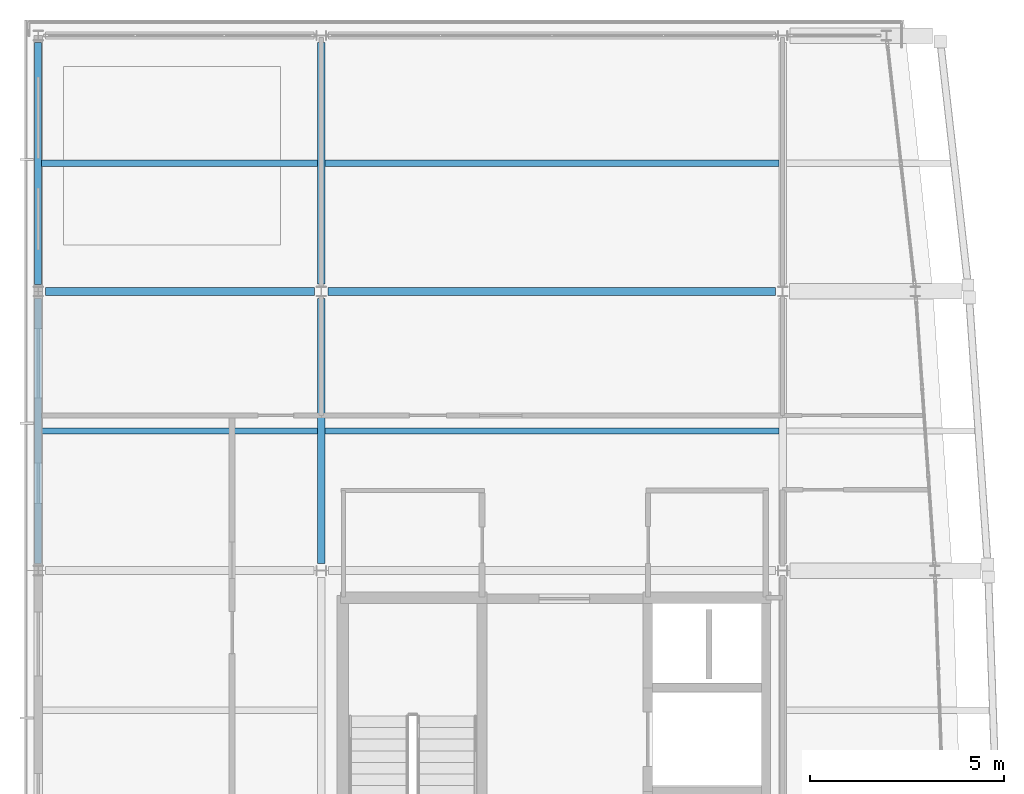
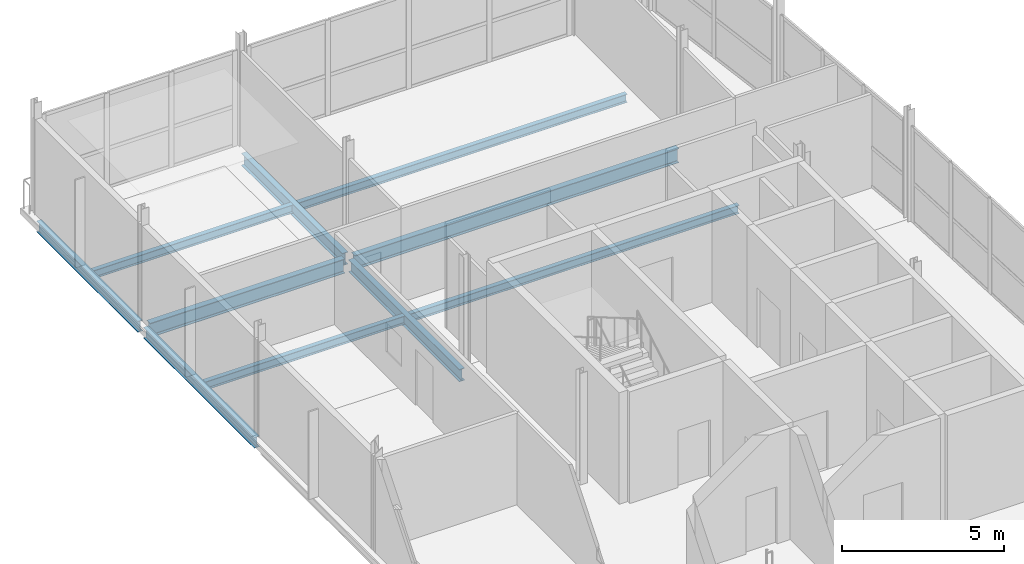
# One storey, part 8 of 17: 10 beams.
"""IFC4 building model written with IfcOpenShell, lengths in metres."""

from ifc_helpers import new_model, si_unit, direction, frame, origin, origin_2d, place, context, subcontext, project, spatial, i_section, extrude, material, material_profile, profile_set, type_object, element, save


model = new_model("IFC4")

# Units and contexts
model_context = context("Model", 3, precision=1e-05, world=origin(), true_north=direction((0.0, 1.0)))
body_context = subcontext(model_context, "Body", "Model", "MODEL_VIEW")
ifc_project = project(units=[si_unit("LENGTHUNIT", "METRE"), si_unit("AREAUNIT", "SQUARE_METRE"), si_unit("VOLUMEUNIT", "CUBIC_METRE"), si_unit("PLANEANGLEUNIT", "RADIAN"), si_unit("MASSUNIT", "GRAM", prefix="KILO")], contexts=[model_context])

# Site, building, storey
site_placement = place(None, origin())
site = spatial("IfcSite", under=ifc_project, at=site_placement, CompositionType="ELEMENT")
building_placement = place(site_placement, origin())
building = spatial("IfcBuilding", under=site, at=building_placement, Name="Quillay Park Conservatory", CompositionType="ELEMENT")
storey_placement = place(building_placement, frame((0.0, 0.0, 60.300048828125)))
storey = spatial("IfcBuildingStorey", under=building, at=storey_placement, Name="L14", CompositionType="ELEMENT", Elevation=60.300048828125)

# Beams
ifc_material_1 = material(Name="Steel ASTM A992 Grade 50", Category="steel")
ifc_material_profile_1 = material_profile(ifc_material_1, i_section(OverallWidth=0.166015625, OverallDepth=0.31298828125, WebThickness=0.006591796875, FlangeThickness=0.01123046875, FilletRadius=0.010009765625, at=origin_2d()), Name="W310x45")
ifc_profile_set_1 = profile_set([ifc_material_profile_1], Name="Steel ASTM A992 Grade 50")
beam_type_1 = type_object("IfcBeamType", Name="COMPOSITE FLOOR JOIST W310 X45", PredefinedType="JOIST", material=ifc_profile_set_1)
beam_1_placement = place(storey_placement, frame((0.639892578125, 103.199951171875, -0.37158203125), z_axis=(1.0, 0.0, 0.0), x_axis=(0.0, 1.0, 0.0)))
element("IfcBeam", 1, at=beam_1_placement, inside=storey, type_object=beam_type_1, Name="L14 beam BM-J-0990", PredefinedType="JOIST", context=body_context, shape_type="SweptSolid", body=[
    extrude(i_section(OverallWidth=0.166015625, OverallDepth=0.31298828125, WebThickness=0.006591796875, FlangeThickness=0.01123046875, FilletRadius=0.010009765625, at=origin_2d()), origin(), (0.0, 0.0, 1.0), 7.114013671875),
])
beam_2_placement = place(storey_placement, frame((7.946044921875, 103.199951171875, -0.37158203125), z_axis=(1.0, 0.0, 0.0), x_axis=(0.0, 1.0, 0.0)))
element("IfcBeam", 2, at=beam_2_placement, inside=storey, type_object=beam_type_1, Name="L14 beam BM-J-0992", PredefinedType="JOIST", context=body_context, shape_type="SweptSolid", body=[
    extrude(i_section(OverallWidth=0.166015625, OverallDepth=0.31298828125, WebThickness=0.006591796875, FlangeThickness=0.01123046875, FilletRadius=0.010009765625, at=origin_2d()), origin(), (0.0, 0.0, 1.0), 11.7080078125),
])
beam_3_placement = place(storey_placement, frame((0.639892578125, 110.10009765625, -0.37158203125), z_axis=(1.0, 0.0, 0.0), x_axis=(0.0, 1.0, 0.0)))
element("IfcBeam", 3, at=beam_3_placement, inside=storey, type_object=beam_type_1, Name="L14 beam BM-J-0997", PredefinedType="JOIST", context=body_context, shape_type="SweptSolid", body=[
    extrude(i_section(OverallWidth=0.166015625, OverallDepth=0.31298828125, WebThickness=0.006591796875, FlangeThickness=0.01123046875, FilletRadius=0.010009765625, at=origin_2d()), origin(), (0.0, 0.0, 1.0), 7.114013671875),
])
beam_4_placement = place(storey_placement, frame((7.946044921875, 110.10009765625, -0.37158203125), z_axis=(1.0, 0.0, 0.0), x_axis=(0.0, 1.0, 0.0)))
element("IfcBeam", 4, at=beam_4_placement, inside=storey, type_object=beam_type_1, Name="L14 beam BM-J-0999", PredefinedType="JOIST", context=body_context, shape_type="SweptSolid", body=[
    extrude(i_section(OverallWidth=0.166015625, OverallDepth=0.31298828125, WebThickness=0.006591796875, FlangeThickness=0.01123046875, FilletRadius=0.010009765625, at=origin_2d()), origin(), (0.0, 0.0, 1.0), 11.7080078125),
])
ifc_material_2 = material(Name="Steel ASTM A992 Grade 50", Category="steel")
ifc_material_profile_2 = material_profile(ifc_material_2, i_section(OverallWidth=0.179931640625, OverallDepth=0.4130859375, WebThickness=0.009765625, FlangeThickness=0.01611328125, FilletRadius=0.011962890625, at=origin_2d()), Name="W410x74")
ifc_profile_set_2 = profile_set([ifc_material_profile_2], Name="Steel ASTM A992 Grade 50")
beam_type_2 = type_object("IfcBeamType", Name="PERIMETER SPANDREL BEAM W410 X74", PredefinedType="SPANDREL", material=ifc_profile_set_2)
beam_5_placement = place(storey_placement, frame((0.550048828125, 99.778076171875, -0.421630859375), z_axis=(0.0, 1.0, 0.0), x_axis=(-1.0, 0.0, 0.0)))
element("IfcBeam", 5, at=beam_5_placement, inside=storey, type_object=beam_type_2, Name="L14 beam BM-SPW-0986", PredefinedType="SPANDREL", context=body_context, shape_type="SweptSolid", body=[
    extrude(i_section(OverallWidth=0.179931640625, OverallDepth=0.4130859375, WebThickness=0.009765625, FlangeThickness=0.01611328125, FilletRadius=0.011962890625, at=origin_2d()), origin(), (0.0, 0.0, 1.0), 6.843994140625),
])
beam_6_placement = place(storey_placement, frame((0.550048828125, 106.97802734375, -0.421630859375), z_axis=(0.0, 1.0, 0.0), x_axis=(-1.0, 0.0, 0.0)))
element("IfcBeam", 6, at=beam_6_placement, inside=storey, type_object=beam_type_2, Name="L14 beam BM-SPW-0993", PredefinedType="SPANDREL", context=body_context, shape_type="SweptSolid", body=[
    extrude(i_section(OverallWidth=0.179931640625, OverallDepth=0.4130859375, WebThickness=0.009765625, FlangeThickness=0.01611328125, FilletRadius=0.011962890625, at=origin_2d()), origin(), (0.0, 0.0, 1.0), 6.243896484375),
])
ifc_material_3 = material(Name="Steel ASTM A992 Grade 50", Category="steel")
ifc_material_profile_3 = material_profile(ifc_material_3, i_section(OverallWidth=0.19189453125, OverallDepth=0.462890625, WebThickness=0.010498046875, FlangeThickness=0.017578125, FilletRadius=0.012939453125, at=origin_2d()), Name="W460x89")
ifc_profile_set_3 = profile_set([ifc_material_profile_3], Name="Steel ASTM A992 Grade 50")
beam_type_3 = type_object("IfcBeamType", Name="PRIMARY FLOOR GIRDER W460 X89", PredefinedType="BEAM", material=ifc_profile_set_3)
beam_7_placement = place(storey_placement, frame((7.85009765625, 99.778076171875, -0.446533203125), z_axis=(0.0, 1.0, 0.0), x_axis=(-1.0, 0.0, 0.0)))
element("IfcBeam", 7, at=beam_7_placement, inside=storey, type_object=beam_type_3, Name="L14 beam BM-GNS-0988", PredefinedType="BEAM", context=body_context, shape_type="SweptSolid", body=[
    extrude(i_section(OverallWidth=0.19189453125, OverallDepth=0.462890625, WebThickness=0.010498046875, FlangeThickness=0.017578125, FilletRadius=0.012939453125, at=origin_2d()), origin(), (0.0, 0.0, 1.0), 6.83740234375),
])
beam_8_placement = place(storey_placement, frame((7.85009765625, 106.984619140625, -0.446533203125), z_axis=(0.0, 1.0, 0.0), x_axis=(-1.0, 0.0, 0.0)))
element("IfcBeam", 8, at=beam_8_placement, inside=storey, type_object=beam_type_3, Name="L14 beam BM-GNS-0995", PredefinedType="BEAM", context=body_context, shape_type="SweptSolid", body=[
    extrude(i_section(OverallWidth=0.19189453125, OverallDepth=0.462890625, WebThickness=0.010498046875, FlangeThickness=0.017578125, FilletRadius=0.012939453125, at=origin_2d()), origin(), (0.0, 0.0, 1.0), 6.2373046875),
])
ifc_material_4 = material(Name="Steel ASTM A992 Grade 50", Category="steel")
ifc_material_profile_4 = material_profile(ifc_material_4, i_section(OverallWidth=0.2109375, OverallDepth=0.5390625, WebThickness=0.01171875, FlangeThickness=0.018798828125, FilletRadius=0.013916015625, at=origin_2d()), Name="W530x109")
ifc_profile_set_4 = profile_set([ifc_material_profile_4], Name="Steel ASTM A992 Grade 50")
beam_type_4 = type_object("IfcBeamType", Name="PRIMARY FLOOR GIRDER W530 X109", PredefinedType="BEAM", material=ifc_profile_set_4)
beam_9_placement = place(storey_placement, frame((0.734619140625, 106.800048828125, -0.484619140625), z_axis=(1.0, 0.0, 0.0), x_axis=(0.0, 1.0, 0.0)))
element("IfcBeam", 9, at=beam_9_placement, inside=storey, type_object=beam_type_4, Name="L14 beam BM-G-0955", PredefinedType="BEAM", context=body_context, shape_type="SweptSolid", body=[
    extrude(i_section(OverallWidth=0.2109375, OverallDepth=0.5390625, WebThickness=0.01171875, FlangeThickness=0.018798828125, FilletRadius=0.013916015625, at=origin_2d()), origin(), (0.0, 0.0, 1.0), 6.9375),
])
beam_10_placement = place(storey_placement, frame((8.028076171875, 106.800048828125, -0.484619140625), z_axis=(1.0, 0.0, 0.0), x_axis=(0.0, 1.0, 0.0)))
element("IfcBeam", 10, at=beam_10_placement, inside=storey, type_object=beam_type_4, Name="L14 beam BM-G-0956", PredefinedType="BEAM", context=body_context, shape_type="SweptSolid", body=[
    extrude(i_section(OverallWidth=0.2109375, OverallDepth=0.5390625, WebThickness=0.01171875, FlangeThickness=0.018798828125, FilletRadius=0.013916015625, at=origin_2d()), origin(), (0.0, 0.0, 1.0), 11.5439453125),
])

save(model, "model.ifc")
